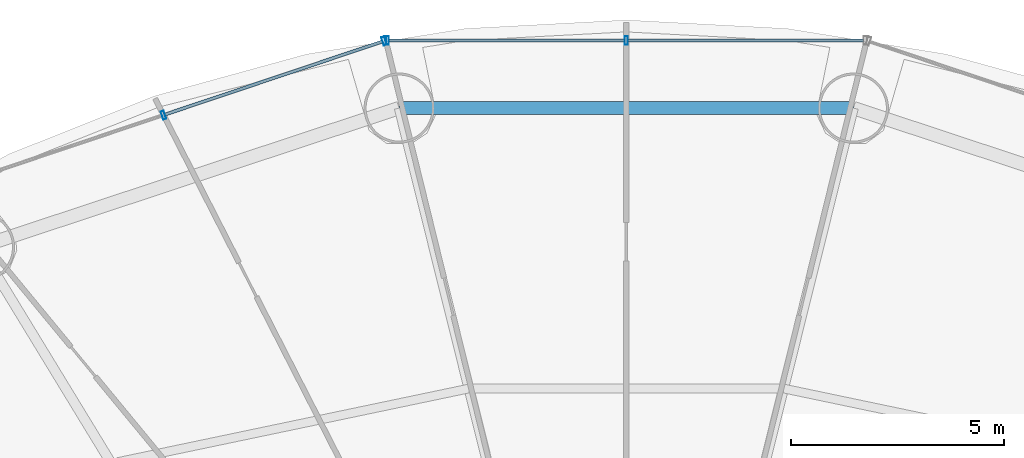
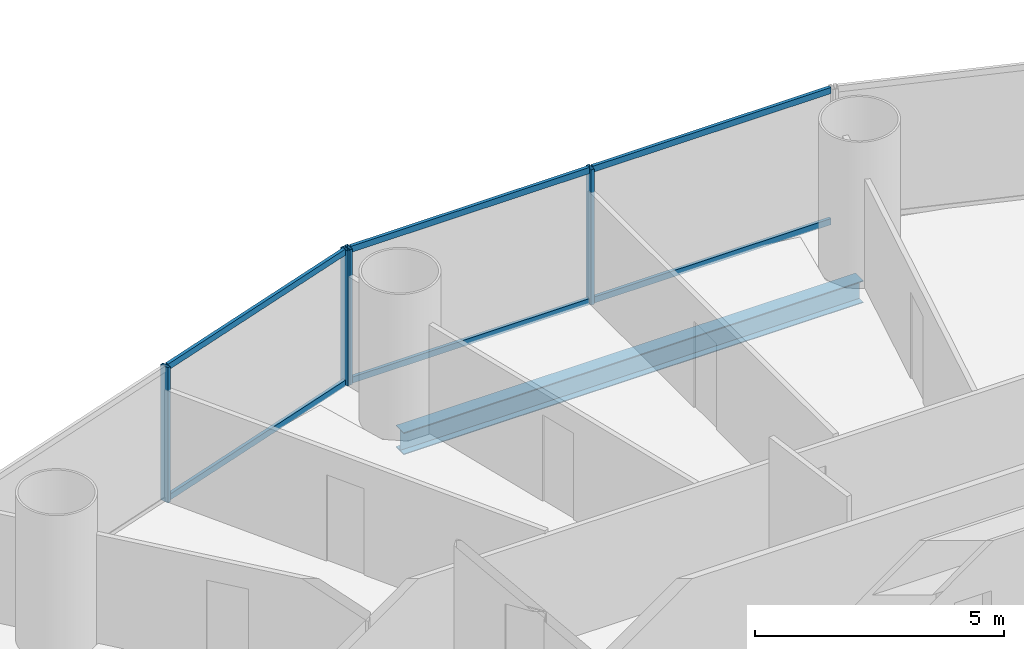
# One storey, part 18 of 30: 10 members, 1 beam, 2 elements without a shape of their own.
"""IFC4 building model written with IfcOpenShell, lengths in metres."""

from ifc_helpers import new_model, si_unit, direction, frame, origin, origin_2d, place, context, subcontext, project, spatial, hollow_rectangle, i_section, extrude, source, transform, mapped, material, material_profile, profile_set, type_object, element, aggregate, save


model = new_model("IFC4")

# Units and contexts
model_context = context("Model", 3, precision=1e-05, world=origin(), true_north=direction((-0.2419218956, 0.970295726276)))
body_context = subcontext(model_context, "Body", "Model", "MODEL_VIEW")
ifc_project = project(units=[si_unit("LENGTHUNIT", "METRE"), si_unit("AREAUNIT", "SQUARE_METRE"), si_unit("VOLUMEUNIT", "CUBIC_METRE"), si_unit("PLANEANGLEUNIT", "RADIAN"), si_unit("MASSUNIT", "GRAM", prefix="KILO")], contexts=[model_context])

# Site, building, storey
site_placement = place(None, origin())
site = spatial("IfcSite", under=ifc_project, at=site_placement, CompositionType="ELEMENT")
building_placement = place(site_placement, origin())
building = spatial("IfcBuilding", under=site, at=building_placement, Name="Cobrevalo Terracotta Tower", CompositionType="ELEMENT")
storey_placement = place(building_placement, frame((0.0, 0.0, 63.60009765625)))
storey = spatial("IfcBuildingStorey", under=building, at=storey_placement, Name="L16", CompositionType="ELEMENT", Elevation=63.60009765625)

# Beam
ifc_material_1 = material(Name="Steel S355", Category="steel")
ifc_material_profile_1 = material_profile(ifc_material_1, i_section(OverallWidth=0.31201171875, OverallDepth=0.54296875, WebThickness=0.0126953125, FlangeThickness=0.020263671875, at=origin_2d()), Name="W 530x150")
ifc_profile_set_1 = profile_set([ifc_material_profile_1], Name="Steel S355")
beam_type = type_object("IfcBeamType", Name="Structural Spandrel W 530x150 (Steel S355)", PredefinedType="SPANDREL", material=ifc_profile_set_1)
beam_placement = place(storey_placement, frame((43.335693359375, 48.230224609375, -0.551513671875), z_axis=(-1.0, 0.0, 0.0), x_axis=(0.0, -1.0, 0.0)))
element("IfcBeam", 1, at=beam_placement, inside=storey, type_object=beam_type, Name="L16 perimeter ring spandrel 04", PredefinedType="SPANDREL", context=body_context, shape_type="SweptSolid", body=[
    extrude(i_section(OverallWidth=0.31201171875, OverallDepth=0.54296875, WebThickness=0.0126953125, FlangeThickness=0.020263671875, at=origin_2d()), origin(), (0.0, 0.0, 1.0), 10.67138671875),
])

# Curtain wall, members
ifc_material_2 = material(Name="Anodized aluminium", Category="aluminium")
curtain_wall_type = type_object("IfcCurtainWallType", Name="Lower-tower unitised acoustic low-E curtain wall CW-U1", PredefinedType="NOTDEFINED", material=ifc_material_2)
curtain_wall_1_placement = place(storey_placement, origin())
curtain_wall_1 = element("IfcCurtainWall", 2, at=curtain_wall_1_placement, inside=storey, type_object=curtain_wall_type, Name="L16 curtain wall CW-L16-S05", PredefinedType="NOTDEFINED")
ifc_material_profile_2 = material_profile(ifc_material_2, hollow_rectangle(XDim=0.074951171875, YDim=0.14990234375, WallThickness=0.00439453125, at=origin_2d()), Name="CWT 75x150")
ifc_profile_set_2 = profile_set([ifc_material_profile_2], Name="Anodized aluminium")
member_type_1 = type_object("IfcMemberType", Name="Tower unitised aluminium transom 75x150", PredefinedType="USERDEFINED", material=ifc_profile_set_2)
shared_shape_1 = source(origin(), body_context, "Body", "SweptSolid", [
    extrude(hollow_rectangle(XDim=0.074951171875, YDim=0.14990234375, WallThickness=0.00439453125, at=origin_2d()), origin(), (0.0, 0.0, 1.0), 5.387939453125),
])
member_1_placement = place(storey_placement, frame((32.2724609375, 49.793701171875, 0.0498046875), z_axis=(-0.94804244582, -0.318143868278, 0.0), x_axis=(0.318143868278, -0.94804244582, 0.0)))
member_1 = element("IfcMember", 3, at=member_1_placement, type_object=member_type_1, Name="CW-L16-S05 transom B01-T1", ObjectType="TRANSOM", PredefinedType="USERDEFINED", context=body_context, shape_type="MappedRepresentation", body=[
    mapped(shared_shape_1, transform((0.0, 0.0, 0.0), scale=1.0)),
])
member_2_placement = place(storey_placement, frame((32.2724609375, 49.793701171875, 3.27001953125), z_axis=(-0.94804244582, -0.318143868278, 0.0), x_axis=(0.318143868278, -0.94804244582, 0.0)))
member_2 = element("IfcMember", 4, at=member_2_placement, type_object=member_type_1, Name="CW-L16-S05 transom B01-T2", ObjectType="TRANSOM", PredefinedType="USERDEFINED", context=body_context, shape_type="MappedRepresentation", body=[
    mapped(shared_shape_1, transform((0.0, 0.0, 0.0), scale=1.0)),
])

curtain_wall_2_placement = place(storey_placement, origin())
curtain_wall_2 = element("IfcCurtainWall", 5, at=curtain_wall_2_placement, inside=storey, type_object=curtain_wall_type, Name="L16 curtain wall CW-L16-S04", PredefinedType="NOTDEFINED")
shared_shape_2 = source(origin(), body_context, "Body", "SweptSolid", [
    extrude(hollow_rectangle(XDim=0.074951171875, YDim=0.14990234375, WallThickness=0.00439453125, at=origin_2d()), origin(), (0.0, 0.0, 1.0), 5.53173828125),
])
member_3_placement = place(storey_placement, frame((43.57177734375, 49.819091796875, 0.0498046875), z_axis=(-1.0, 0.0, 0.0), x_axis=(0.0, -1.0, 0.0)))
member_3 = element("IfcMember", 6, at=member_3_placement, type_object=member_type_1, Name="CW-L16-S04 transom B01-T1", ObjectType="TRANSOM", PredefinedType="USERDEFINED", context=body_context, shape_type="MappedRepresentation", body=[
    mapped(shared_shape_2, transform((0.0, 0.0, 0.0), scale=1.0)),
])
member_4_placement = place(storey_placement, frame((43.57177734375, 49.819091796875, 3.27001953125), z_axis=(-1.0, 0.0, 0.0), x_axis=(0.0, -1.0, 0.0)))
member_4 = element("IfcMember", 7, at=member_4_placement, type_object=member_type_1, Name="CW-L16-S04 transom B01-T2", ObjectType="TRANSOM", PredefinedType="USERDEFINED", context=body_context, shape_type="MappedRepresentation", body=[
    mapped(shared_shape_2, transform((0.0, 0.0, 0.0), scale=1.0)),
])
member_5_placement = place(storey_placement, frame((37.9599609375, 49.819091796875, 0.0498046875), z_axis=(-1.0, 0.0, 0.0), x_axis=(0.0, -1.0, 0.0)))
member_5 = element("IfcMember", 8, at=member_5_placement, type_object=member_type_1, Name="CW-L16-S04 transom B02-T1", ObjectType="TRANSOM", PredefinedType="USERDEFINED", context=body_context, shape_type="MappedRepresentation", body=[
    mapped(shared_shape_2, transform((0.0, 0.0, 0.0), scale=1.0)),
])
member_6_placement = place(storey_placement, frame((37.9599609375, 49.819091796875, 3.27001953125), z_axis=(-1.0, 0.0, 0.0), x_axis=(0.0, -1.0, 0.0)))
member_6 = element("IfcMember", 9, at=member_6_placement, type_object=member_type_1, Name="CW-L16-S04 transom B02-T2", ObjectType="TRANSOM", PredefinedType="USERDEFINED", context=body_context, shape_type="MappedRepresentation", body=[
    mapped(shared_shape_2, transform((0.0, 0.0, 0.0), scale=1.0)),
])
ifc_material_profile_3 = material_profile(ifc_material_2, hollow_rectangle(XDim=0.074951171875, YDim=0.199951171875, WallThickness=0.0048828125, at=origin_2d()), Name="CWM 75x200")
ifc_profile_set_3 = profile_set([ifc_material_profile_3], Name="Anodized aluminium")
member_type_2 = type_object("IfcMemberType", Name="Lower/mid tower unitised mullion 75x200", PredefinedType="MULLION", material=ifc_profile_set_3)
shared_shape_3 = source(origin(), body_context, "Body", "SweptSolid", [
    extrude(hollow_rectangle(XDim=0.074951171875, YDim=0.199951171875, WallThickness=0.0048828125, at=origin_2d()), origin(), (0.0, 0.0, 1.0), 3.31982421875),
])
member_7_placement = place(storey_placement, frame((38.0, 49.819091796875, 0.0), z_axis=(0.0, 0.0, 1.0), x_axis=(-1.0, 0.0, 0.0)))
member_7 = element("IfcMember", 10, at=member_7_placement, type_object=member_type_2, Name="CW-L16-S04 vertical mullion 02", PredefinedType="MULLION", context=body_context, shape_type="MappedRepresentation", body=[
    mapped(shared_shape_3, transform((0.0, 0.0, 0.0), scale=1.0)),
])
member_8_placement = place(storey_placement, frame((32.38818359375, 49.819091796875, 0.0), z_axis=(0.0, 0.0, 1.0), x_axis=(-1.0, 0.0, 0.0)))
member_8 = element("IfcMember", 11, at=member_8_placement, type_object=member_type_2, Name="CW-L16-S04 vertical mullion 03", PredefinedType="MULLION", context=body_context, shape_type="MappedRepresentation", body=[
    mapped(shared_shape_3, transform((0.0, 0.0, 0.0), scale=1.0)),
])
aggregate(curtain_wall_2, [member_7, member_8, member_3, member_4, member_5, member_6])

# Member
member_9_placement = place(storey_placement, frame((32.310302734375, 49.806396484375, 0.0), z_axis=(0.0, 0.0, 1.0), x_axis=(-0.948046393597, -0.318132103987, 0.0)))
member_9 = element("IfcMember", 12, at=member_9_placement, type_object=member_type_2, Name="CW-L16-S05 vertical mullion 01", PredefinedType="MULLION", context=body_context, shape_type="MappedRepresentation", body=[
    mapped(shared_shape_3, transform((0.0, 0.0, 0.0), scale=1.0)),
])

member_10_placement = place(storey_placement, frame((27.126708984375, 48.06689453125, 0.0), z_axis=(0.0, 0.0, 1.0), x_axis=(-0.948046393597, -0.318132103987, 0.0)))
member_10 = element("IfcMember", 13, at=member_10_placement, type_object=member_type_2, Name="CW-L16-S05 vertical mullion 02", PredefinedType="MULLION", context=body_context, shape_type="MappedRepresentation", body=[
    mapped(shared_shape_3, transform((0.0, 0.0, 0.0), scale=1.0)),
])

aggregate(curtain_wall_1, [member_9, member_10, member_1, member_2])

save(model, "model.ifc")
